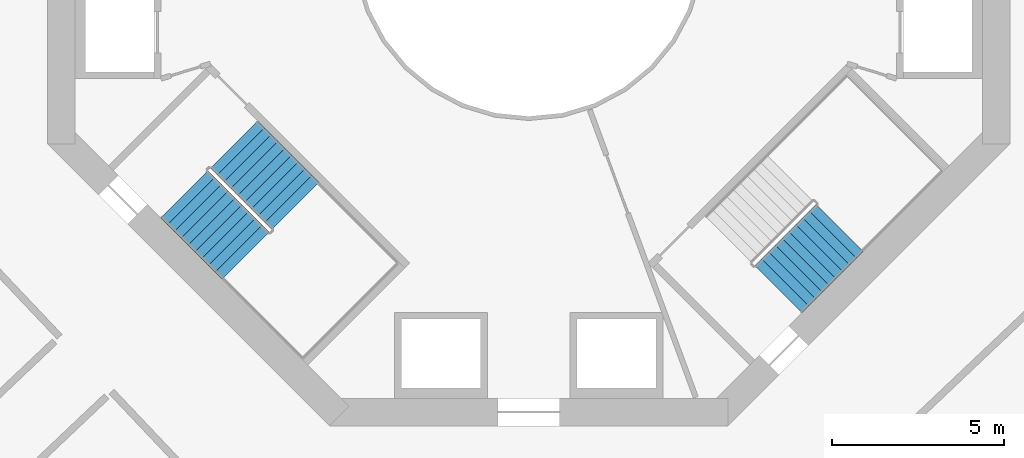
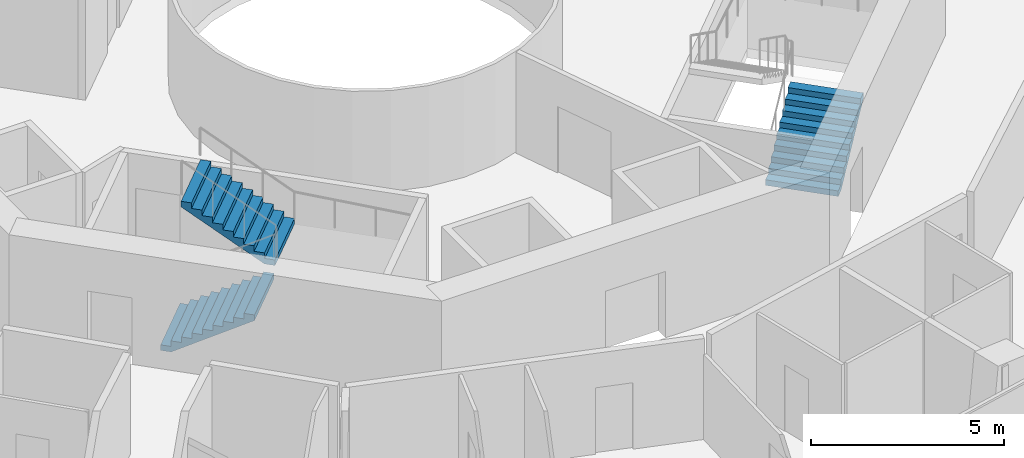
# One storey, part 25 of 27: 3 stair flights, 2 elements without a shape of their own.
"""IFC4 building model written with IfcOpenShell, lengths in metres."""

from ifc_helpers import new_model, si_unit, direction, frame, origin, place, context, subcontext, project, spatial, triangles, material, type_object, element, aggregate, save


model = new_model("IFC4")

# Units and contexts
model_context = context("Model", 3, precision=1e-05, world=origin(), true_north=direction((0.0, 1.0)))
body_context = subcontext(model_context, "Body", "Model", "MODEL_VIEW")
ifc_project = project(units=[si_unit("LENGTHUNIT", "METRE"), si_unit("AREAUNIT", "SQUARE_METRE"), si_unit("VOLUMEUNIT", "CUBIC_METRE"), si_unit("PLANEANGLEUNIT", "RADIAN"), si_unit("MASSUNIT", "GRAM", prefix="KILO")], contexts=[model_context])

# Site, building, storey
site_placement = place(None, origin())
site = spatial("IfcSite", under=ifc_project, at=site_placement, CompositionType="ELEMENT")
building_placement = place(site_placement, origin())
building = spatial("IfcBuilding", under=site, at=building_placement, Name="Verdalira Terraces Hotel", CompositionType="ELEMENT")
storey_placement = place(building_placement, frame((0.0, 0.0, 89.5)))
storey = spatial("IfcBuildingStorey", under=building, at=storey_placement, Name="L20", CompositionType="ELEMENT", Elevation=89.5)

# Stair, stair flights
ifc_material_1 = material(Name="Concrete C40", Category="concrete")
stair_type = type_object("IfcStairType", Name="Core stair 20 risers 1950 mm wide", PredefinedType="HALF_TURN_STAIR", material=ifc_material_1)
stair_1_placement = place(storey_placement, origin())
stair_1 = element("IfcStair", 1, at=stair_1_placement, inside=storey, type_object=stair_type, Name="L20 Exit stair ST2", PredefinedType="HALF_TURN_STAIR")
ifc_material_2 = material(Name="Concrete C40", Category="concrete")
stair_flight_type = type_object("IfcStairFlightType", Name="Core stair flight 20 risers 1950 mm wide", PredefinedType="STRAIGHT", material=ifc_material_2)
stair_flight_1_placement = place(storey_placement, frame((-10.023193, -7.265625, 0.0), z_axis=(0.0, 0.0, 1.0), x_axis=(0.707106781, -0.707106781, 0.0)))
stair_flight_1 = element("IfcStairFlight", 2, at=stair_flight_1_placement, type_object=stair_flight_type, Name="ST2 flight 1", NumberOfRisers=10, NumberOfTreads=9, PredefinedType="STRAIGHT", RiserHeight=0.175, TreadLength=0.28, context=body_context, shape_type="Tessellation", body=[
    triangles([(0.0, 0.974976, 0.0), (0.282715, 0.974976, 0.0), (2.52002, 0.974976, 1.398193), (0.0, -0.974976, 0.0), (0.282715, -0.974976, 0.0), (2.52002, -0.974976, 1.398193), (2.52002, 0.974976, 1.574951), (2.23999, 0.974976, 1.574951), (2.52002, -0.974976, 1.574951), (2.23999, -0.974976, 1.574951), (2.23999, 0.974976, 1.399902), (2.23999, -0.974976, 1.399902), (1.959961, 0.974976, 1.399902), (1.959961, -0.974976, 1.399902), (1.959961, 0.974976, 1.225098), (1.959961, -0.974976, 1.225098), (1.679932, 0.974976, 1.225098), (1.679932, 0.974976, 1.050049), (1.679932, -0.974976, 1.225098), (1.679932, -0.974976, 1.050049), (1.399902, 0.974976, 1.050049), (1.399902, 0.974976, 0.875), (1.399902, -0.974976, 1.050049), (1.399902, -0.974976, 0.875), (1.120117, 0.974976, 0.875), (1.120117, 0.974976, 0.699951), (1.120117, -0.974976, 0.875), (1.120117, -0.974976, 0.699951), (0.840088, 0.974976, 0.699951), (0.840088, 0.974976, 0.524902), (0.840088, -0.974976, 0.699951), (0.840088, -0.974976, 0.524902), (0.560059, 0.974976, 0.524902), (0.560059, 0.974976, 0.350098), (0.560059, -0.974976, 0.524902), (0.560059, -0.974976, 0.350098), (0.280029, 0.974976, 0.350098), (0.280029, 0.974976, 0.175049), (0.280029, -0.974976, 0.350098), (0.280029, -0.974976, 0.175049), (0.0, 0.974976, 0.175049), (0.0, -0.974976, 0.175049), (0.0, -0.91404, 0.0), (0.0, -0.91404, 0.175049), (0.0, -0.853104, 0.0), (0.0, -0.853104, 0.175049), (0.0, -0.792168, 0.0), (0.0, -0.792168, 0.175049), (0.0, -0.731232, 0.0), (0.0, -0.731232, 0.175049), (0.0, -0.670296, 0.0), (0.0, -0.670296, 0.175049), (0.0, -0.60936, 0.0), (0.0, -0.60936, 0.175049), (0.0, -0.548424, 0.0), (0.0, -0.548424, 0.175049), (0.0, -0.487488, 0.0), (0.0, -0.487488, 0.175049), (0.0, -0.426552, 0.0), (0.0, -0.426552, 0.175049), (0.0, -0.365616, 0.0), (0.0, -0.365616, 0.175049), (0.0, -0.30468, 0.0), (0.0, -0.30468, 0.175049), (0.0, -0.243744, 0.0), (0.0, -0.243744, 0.175049), (0.0, -0.182808, 0.0), (0.0, -0.182808, 0.175049), (0.0, -0.121872, 0.0), (0.0, -0.121872, 0.175049), (0.0, -0.060936, 0.0), (0.0, -0.060936, 0.175049), (0.0, 0.0, 0.0), (0.0, 0.0, 0.175049), (0.0, 0.060936, 0.0), (0.0, 0.060936, 0.175049), (0.0, 0.121872, 0.0), (0.0, 0.121872, 0.175049), (0.0, 0.182808, 0.0), (0.0, 0.182808, 0.175049), (0.0, 0.243744, 0.0), (0.0, 0.243744, 0.175049), (0.0, 0.30468, 0.0), (0.0, 0.30468, 0.175049), (0.0, 0.365616, 0.0), (0.0, 0.365616, 0.175049), (0.0, 0.426552, 0.0), (0.0, 0.426552, 0.175049), (0.0, 0.487488, 0.0), (0.0, 0.487488, 0.175049), (0.0, 0.548424, 0.0), (0.0, 0.548424, 0.175049), (0.0, 0.60936, 0.0), (0.0, 0.60936, 0.175049), (0.0, 0.670296, 0.0), (0.0, 0.670296, 0.175049), (0.0, 0.731232, 0.0), (0.0, 0.731232, 0.175049), (0.0, 0.792168, 0.0), (0.0, 0.792168, 0.175049), (0.0, 0.853104, 0.0), (0.0, 0.853104, 0.175049), (0.0, 0.91404, 0.0), (0.0, 0.91404, 0.175049), (2.52002, -0.91404, 1.574951), (2.52002, -0.853104, 1.574951), (2.52002, -0.792168, 1.574951), (2.52002, -0.731232, 1.574951), (2.52002, -0.670296, 1.574951), (2.52002, -0.60936, 1.574951), (2.52002, -0.548424, 1.574951), (2.52002, -0.487488, 1.574951), (2.52002, -0.426552, 1.574951), (2.52002, -0.365616, 1.574951), (2.52002, -0.30468, 1.574951), (2.52002, -0.243744, 1.574951), (2.52002, -0.182808, 1.574951), (2.52002, -0.121872, 1.574951), (2.52002, -0.060936, 1.574951), (2.52002, 0.0, 1.574951), (2.52002, 0.060936, 1.574951), (2.52002, 0.121872, 1.574951), (2.52002, 0.182808, 1.574951), (2.52002, 0.243744, 1.574951), (2.52002, 0.30468, 1.574951), (2.52002, 0.365616, 1.574951), (2.52002, 0.426552, 1.574951), (2.52002, 0.487488, 1.574951), (2.52002, 0.548424, 1.574951), (2.52002, 0.60936, 1.574951), (2.52002, 0.670296, 1.574951), (2.52002, 0.731232, 1.574951), (2.52002, 0.792168, 1.574951), (2.52002, 0.853104, 1.574951), (2.52002, 0.91404, 1.574951), (2.52002, -0.91404, 1.398193), (2.52002, -0.853104, 1.398193), (2.52002, -0.792168, 1.398193), (2.52002, -0.731232, 1.398193), (2.52002, -0.670296, 1.398193), (2.52002, -0.60936, 1.398193), (2.52002, -0.548424, 1.398193), (2.52002, -0.487488, 1.398193), (2.52002, -0.426552, 1.398193), (2.52002, -0.365616, 1.398193), (2.52002, -0.30468, 1.398193), (2.52002, -0.243744, 1.398193), (2.52002, -0.182808, 1.398193), (2.52002, -0.121872, 1.398193), (2.52002, -0.060936, 1.398193), (2.52002, 0.0, 1.398193), (2.52002, 0.060936, 1.398193), (2.52002, 0.121872, 1.398193), (2.52002, 0.182808, 1.398193), (2.52002, 0.243744, 1.398193), (2.52002, 0.30468, 1.398193), (2.52002, 0.365616, 1.398193), (2.52002, 0.426552, 1.398193), (2.52002, 0.487488, 1.398193), (2.52002, 0.548424, 1.398193), (2.52002, 0.60936, 1.398193), (2.52002, 0.670296, 1.398193), (2.52002, 0.731232, 1.398193), (2.52002, 0.792168, 1.398193), (2.52002, 0.853104, 1.398193), (2.52002, 0.91404, 1.398193)], [[1, 3, 2], [4, 5, 6], [3, 8, 7], [6, 9, 10], [3, 11, 8], [6, 10, 12], [3, 13, 11], [6, 12, 14], [3, 15, 13], [6, 14, 16], [15, 18, 17], [16, 19, 20], [3, 18, 15], [6, 16, 20], [18, 22, 21], [20, 23, 24], [3, 22, 18], [6, 20, 24], [22, 26, 25], [24, 27, 28], [3, 26, 22], [6, 24, 28], [26, 30, 29], [28, 31, 32], [3, 30, 26], [6, 28, 32], [1, 30, 3], [4, 6, 32], [30, 34, 33], [32, 35, 36], [34, 38, 37], [36, 39, 40], [30, 38, 34], [32, 36, 40], [1, 38, 30], [4, 32, 40], [38, 1, 41], [40, 42, 4], [4, 44, 43], [4, 42, 44], [43, 46, 45], [43, 44, 46], [45, 48, 47], [45, 46, 48], [47, 50, 49], [47, 48, 50], [49, 52, 51], [49, 50, 52], [51, 54, 53], [51, 52, 54], [53, 56, 55], [53, 54, 56], [55, 58, 57], [55, 56, 58], [57, 60, 59], [57, 58, 60], [59, 62, 61], [59, 60, 62], [61, 64, 63], [61, 62, 64], [63, 66, 65], [63, 64, 66], [65, 68, 67], [65, 66, 68], [67, 70, 69], [67, 68, 70], [69, 72, 71], [69, 70, 72], [71, 74, 73], [71, 72, 74], [73, 76, 75], [73, 74, 76], [75, 78, 77], [75, 76, 78], [77, 80, 79], [77, 78, 80], [79, 82, 81], [79, 80, 82], [81, 84, 83], [81, 82, 84], [83, 86, 85], [83, 84, 86], [85, 88, 87], [85, 86, 88], [87, 90, 89], [87, 88, 90], [89, 92, 91], [89, 90, 92], [91, 94, 93], [91, 92, 94], [93, 96, 95], [93, 94, 96], [95, 98, 97], [95, 96, 98], [97, 100, 99], [97, 98, 100], [99, 102, 101], [99, 100, 102], [101, 104, 103], [101, 102, 104], [103, 41, 1], [103, 104, 41], [42, 40, 44], [44, 40, 46], [46, 40, 48], [48, 40, 50], [50, 40, 52], [52, 40, 54], [54, 40, 56], [56, 40, 58], [58, 40, 60], [60, 40, 62], [62, 40, 64], [64, 40, 66], [66, 40, 68], [68, 40, 70], [70, 40, 72], [72, 40, 74], [74, 40, 76], [76, 40, 78], [78, 40, 80], [80, 40, 82], [82, 40, 84], [84, 40, 86], [86, 40, 88], [88, 40, 90], [90, 40, 92], [92, 40, 94], [94, 40, 96], [96, 40, 98], [98, 40, 100], [100, 40, 102], [102, 40, 104], [104, 40, 41], [41, 40, 38], [40, 37, 38], [40, 39, 37], [39, 34, 37], [39, 36, 34], [36, 33, 34], [36, 35, 33], [35, 30, 33], [35, 32, 30], [32, 29, 30], [32, 31, 29], [31, 26, 29], [31, 28, 26], [28, 25, 26], [28, 27, 25], [27, 22, 25], [27, 24, 22], [24, 21, 22], [24, 23, 21], [23, 18, 21], [23, 20, 18], [20, 17, 18], [20, 19, 17], [19, 15, 17], [19, 16, 15], [16, 13, 15], [16, 14, 13], [14, 11, 13], [14, 12, 11], [12, 8, 11], [12, 10, 8], [9, 105, 10], [105, 106, 10], [106, 107, 10], [107, 108, 10], [108, 109, 10], [109, 110, 10], [110, 111, 10], [111, 112, 10], [112, 113, 10], [113, 114, 10], [114, 115, 10], [115, 116, 10], [116, 117, 10], [117, 118, 10], [118, 119, 10], [119, 120, 10], [120, 121, 10], [121, 122, 10], [122, 123, 10], [123, 124, 10], [124, 125, 10], [125, 126, 10], [126, 127, 10], [127, 128, 10], [128, 129, 10], [129, 130, 10], [130, 131, 10], [131, 132, 10], [132, 133, 10], [133, 134, 10], [134, 135, 10], [135, 7, 10], [7, 8, 10], [9, 136, 105], [9, 6, 136], [105, 137, 106], [105, 136, 137], [106, 138, 107], [106, 137, 138], [107, 139, 108], [107, 138, 139], [108, 140, 109], [108, 139, 140], [109, 141, 110], [109, 140, 141], [110, 142, 111], [110, 141, 142], [111, 143, 112], [111, 142, 143], [112, 144, 113], [112, 143, 144], [113, 145, 114], [113, 144, 145], [114, 146, 115], [114, 145, 146], [115, 147, 116], [115, 146, 147], [116, 148, 117], [116, 147, 148], [117, 149, 118], [117, 148, 149], [118, 150, 119], [118, 149, 150], [119, 151, 120], [119, 150, 151], [120, 152, 121], [120, 151, 152], [121, 153, 122], [121, 152, 153], [122, 154, 123], [122, 153, 154], [123, 155, 124], [123, 154, 155], [124, 156, 125], [124, 155, 156], [125, 157, 126], [125, 156, 157], [126, 158, 127], [126, 157, 158], [127, 159, 128], [127, 158, 159], [128, 160, 129], [128, 159, 160], [129, 161, 130], [129, 160, 161], [130, 162, 131], [130, 161, 162], [131, 163, 132], [131, 162, 163], [132, 164, 133], [132, 163, 164], [133, 165, 134], [133, 164, 165], [134, 166, 135], [134, 165, 166], [135, 3, 7], [135, 166, 3], [6, 5, 136], [136, 5, 137], [137, 5, 138], [138, 5, 139], [139, 5, 140], [140, 5, 141], [141, 5, 142], [142, 5, 143], [143, 5, 144], [144, 5, 145], [145, 5, 146], [146, 5, 147], [147, 5, 148], [148, 5, 149], [149, 5, 150], [150, 5, 151], [151, 5, 152], [152, 5, 153], [153, 5, 154], [154, 5, 155], [155, 5, 156], [156, 5, 157], [157, 5, 158], [158, 5, 159], [159, 5, 160], [160, 5, 161], [161, 5, 162], [162, 5, 163], [163, 5, 164], [164, 5, 165], [165, 5, 166], [166, 5, 3], [3, 5, 2], [4, 43, 5], [43, 45, 5], [45, 47, 5], [47, 49, 5], [49, 51, 5], [51, 53, 5], [53, 55, 5], [55, 57, 5], [57, 59, 5], [59, 61, 5], [61, 63, 5], [63, 65, 5], [65, 67, 5], [67, 69, 5], [69, 71, 5], [71, 73, 5], [73, 75, 5], [75, 77, 5], [77, 79, 5], [79, 81, 5], [81, 83, 5], [83, 85, 5], [85, 87, 5], [87, 89, 5], [89, 91, 5], [91, 93, 5], [93, 95, 5], [95, 97, 5], [97, 99, 5], [99, 101, 5], [101, 103, 5], [103, 1, 5], [1, 2, 5]], closed=True),
])
stair_flight_2_placement = place(storey_placement, frame((-6.791748, -7.5979, 1.75), z_axis=(0.0, 0.0, 1.0), x_axis=(-0.707106781, 0.707106781, 0.0)))
stair_flight_2 = element("IfcStairFlight", 3, at=stair_flight_2_placement, type_object=stair_flight_type, Name="ST2 flight 2", NumberOfRisers=10, NumberOfTreads=9, PredefinedType="STRAIGHT", RiserHeight=0.175, TreadLength=0.28, context=body_context, shape_type="Tessellation", body=[
    triangles([(0.0, 0.974976, 0.0), (0.282715, 0.974976, 0.0), (2.52002, 0.974976, 1.398193), (0.0, -0.974976, 0.0), (0.282715, -0.974976, 0.0), (2.52002, -0.974976, 1.398193), (2.52002, 0.974976, 1.574951), (2.23999, 0.974976, 1.574951), (2.52002, -0.974976, 1.574951), (2.23999, -0.974976, 1.574951), (2.23999, 0.974976, 1.399902), (2.23999, -0.974976, 1.399902), (1.959961, 0.974976, 1.399902), (1.959961, -0.974976, 1.399902), (1.959961, 0.974976, 1.225098), (1.959961, -0.974976, 1.225098), (1.679932, 0.974976, 1.225098), (1.679932, 0.974976, 1.050049), (1.679932, -0.974976, 1.225098), (1.679932, -0.974976, 1.050049), (1.399902, 0.974976, 1.050049), (1.399902, 0.974976, 0.875), (1.399902, -0.974976, 1.050049), (1.399902, -0.974976, 0.875), (1.120117, 0.974976, 0.875), (1.120117, 0.974976, 0.699951), (1.120117, -0.974976, 0.875), (1.120117, -0.974976, 0.699951), (0.840088, 0.974976, 0.699951), (0.840088, 0.974976, 0.524902), (0.840088, -0.974976, 0.699951), (0.840088, -0.974976, 0.524902), (0.560059, 0.974976, 0.524902), (0.560059, 0.974976, 0.350098), (0.560059, -0.974976, 0.524902), (0.560059, -0.974976, 0.350098), (0.280029, 0.974976, 0.350098), (0.280029, 0.974976, 0.175049), (0.280029, -0.974976, 0.350098), (0.280029, -0.974976, 0.175049), (0.0, 0.974976, 0.175049), (0.0, -0.974976, 0.175049), (0.0, -0.91404, 0.0), (0.0, -0.91404, 0.175049), (0.0, -0.853104, 0.0), (0.0, -0.853104, 0.175049), (0.0, -0.792168, 0.0), (0.0, -0.792168, 0.175049), (0.0, -0.731232, 0.0), (0.0, -0.731232, 0.175049), (0.0, -0.670296, 0.0), (0.0, -0.670296, 0.175049), (0.0, -0.60936, 0.0), (0.0, -0.60936, 0.175049), (0.0, -0.548424, 0.0), (0.0, -0.548424, 0.175049), (0.0, -0.487488, 0.0), (0.0, -0.487488, 0.175049), (0.0, -0.426552, 0.0), (0.0, -0.426552, 0.175049), (0.0, -0.365616, 0.0), (0.0, -0.365616, 0.175049), (0.0, -0.30468, 0.0), (0.0, -0.30468, 0.175049), (0.0, -0.243744, 0.0), (0.0, -0.243744, 0.175049), (0.0, -0.182808, 0.0), (0.0, -0.182808, 0.175049), (0.0, -0.121872, 0.0), (0.0, -0.121872, 0.175049), (0.0, -0.060936, 0.0), (0.0, -0.060936, 0.175049), (0.0, 0.0, 0.0), (0.0, 0.0, 0.175049), (0.0, 0.060936, 0.0), (0.0, 0.060936, 0.175049), (0.0, 0.121872, 0.0), (0.0, 0.121872, 0.175049), (0.0, 0.182808, 0.0), (0.0, 0.182808, 0.175049), (0.0, 0.243744, 0.0), (0.0, 0.243744, 0.175049), (0.0, 0.30468, 0.0), (0.0, 0.30468, 0.175049), (0.0, 0.365616, 0.0), (0.0, 0.365616, 0.175049), (0.0, 0.426552, 0.0), (0.0, 0.426552, 0.175049), (0.0, 0.487488, 0.0), (0.0, 0.487488, 0.175049), (0.0, 0.548424, 0.0), (0.0, 0.548424, 0.175049), (0.0, 0.60936, 0.0), (0.0, 0.60936, 0.175049), (0.0, 0.670296, 0.0), (0.0, 0.670296, 0.175049), (0.0, 0.731232, 0.0), (0.0, 0.731232, 0.175049), (0.0, 0.792168, 0.0), (0.0, 0.792168, 0.175049), (0.0, 0.853104, 0.0), (0.0, 0.853104, 0.175049), (0.0, 0.91404, 0.0), (0.0, 0.91404, 0.175049), (2.52002, -0.91404, 1.574951), (2.52002, -0.853104, 1.574951), (2.52002, -0.792168, 1.574951), (2.52002, -0.731232, 1.574951), (2.52002, -0.670296, 1.574951), (2.52002, -0.60936, 1.574951), (2.52002, -0.548424, 1.574951), (2.52002, -0.487488, 1.574951), (2.52002, -0.426552, 1.574951), (2.52002, -0.365616, 1.574951), (2.52002, -0.30468, 1.574951), (2.52002, -0.243744, 1.574951), (2.52002, -0.182808, 1.574951), (2.52002, -0.121872, 1.574951), (2.52002, -0.060936, 1.574951), (2.52002, 0.0, 1.574951), (2.52002, 0.060936, 1.574951), (2.52002, 0.121872, 1.574951), (2.52002, 0.182808, 1.574951), (2.52002, 0.243744, 1.574951), (2.52002, 0.30468, 1.574951), (2.52002, 0.365616, 1.574951), (2.52002, 0.426552, 1.574951), (2.52002, 0.487488, 1.574951), (2.52002, 0.548424, 1.574951), (2.52002, 0.60936, 1.574951), (2.52002, 0.670296, 1.574951), (2.52002, 0.731232, 1.574951), (2.52002, 0.792168, 1.574951), (2.52002, 0.853104, 1.574951), (2.52002, 0.91404, 1.574951), (2.52002, -0.91404, 1.398193), (2.52002, -0.853104, 1.398193), (2.52002, -0.792168, 1.398193), (2.52002, -0.731232, 1.398193), (2.52002, -0.670296, 1.398193), (2.52002, -0.60936, 1.398193), (2.52002, -0.548424, 1.398193), (2.52002, -0.487488, 1.398193), (2.52002, -0.426552, 1.398193), (2.52002, -0.365616, 1.398193), (2.52002, -0.30468, 1.398193), (2.52002, -0.243744, 1.398193), (2.52002, -0.182808, 1.398193), (2.52002, -0.121872, 1.398193), (2.52002, -0.060936, 1.398193), (2.52002, 0.0, 1.398193), (2.52002, 0.060936, 1.398193), (2.52002, 0.121872, 1.398193), (2.52002, 0.182808, 1.398193), (2.52002, 0.243744, 1.398193), (2.52002, 0.30468, 1.398193), (2.52002, 0.365616, 1.398193), (2.52002, 0.426552, 1.398193), (2.52002, 0.487488, 1.398193), (2.52002, 0.548424, 1.398193), (2.52002, 0.60936, 1.398193), (2.52002, 0.670296, 1.398193), (2.52002, 0.731232, 1.398193), (2.52002, 0.792168, 1.398193), (2.52002, 0.853104, 1.398193), (2.52002, 0.91404, 1.398193)], [[1, 3, 2], [4, 5, 6], [3, 8, 7], [6, 9, 10], [3, 11, 8], [6, 10, 12], [3, 13, 11], [6, 12, 14], [3, 15, 13], [6, 14, 16], [15, 18, 17], [16, 19, 20], [3, 18, 15], [6, 16, 20], [18, 22, 21], [20, 23, 24], [3, 22, 18], [6, 20, 24], [22, 26, 25], [24, 27, 28], [3, 26, 22], [6, 24, 28], [26, 30, 29], [28, 31, 32], [3, 30, 26], [6, 28, 32], [1, 30, 3], [4, 6, 32], [30, 34, 33], [32, 35, 36], [34, 38, 37], [36, 39, 40], [30, 38, 34], [32, 36, 40], [1, 38, 30], [4, 32, 40], [38, 1, 41], [40, 42, 4], [4, 44, 43], [4, 42, 44], [43, 46, 45], [43, 44, 46], [45, 48, 47], [45, 46, 48], [47, 50, 49], [47, 48, 50], [49, 52, 51], [49, 50, 52], [51, 54, 53], [51, 52, 54], [53, 56, 55], [53, 54, 56], [55, 58, 57], [55, 56, 58], [57, 60, 59], [57, 58, 60], [59, 62, 61], [59, 60, 62], [61, 64, 63], [61, 62, 64], [63, 66, 65], [63, 64, 66], [65, 68, 67], [65, 66, 68], [67, 70, 69], [67, 68, 70], [69, 72, 71], [69, 70, 72], [71, 74, 73], [71, 72, 74], [73, 76, 75], [73, 74, 76], [75, 78, 77], [75, 76, 78], [77, 80, 79], [77, 78, 80], [79, 82, 81], [79, 80, 82], [81, 84, 83], [81, 82, 84], [83, 86, 85], [83, 84, 86], [85, 88, 87], [85, 86, 88], [87, 90, 89], [87, 88, 90], [89, 92, 91], [89, 90, 92], [91, 94, 93], [91, 92, 94], [93, 96, 95], [93, 94, 96], [95, 98, 97], [95, 96, 98], [97, 100, 99], [97, 98, 100], [99, 102, 101], [99, 100, 102], [101, 104, 103], [101, 102, 104], [103, 41, 1], [103, 104, 41], [42, 40, 44], [44, 40, 46], [46, 40, 48], [48, 40, 50], [50, 40, 52], [52, 40, 54], [54, 40, 56], [56, 40, 58], [58, 40, 60], [60, 40, 62], [62, 40, 64], [64, 40, 66], [66, 40, 68], [68, 40, 70], [70, 40, 72], [72, 40, 74], [74, 40, 76], [76, 40, 78], [78, 40, 80], [80, 40, 82], [82, 40, 84], [84, 40, 86], [86, 40, 88], [88, 40, 90], [90, 40, 92], [92, 40, 94], [94, 40, 96], [96, 40, 98], [98, 40, 100], [100, 40, 102], [102, 40, 104], [104, 40, 41], [41, 40, 38], [40, 37, 38], [40, 39, 37], [39, 34, 37], [39, 36, 34], [36, 33, 34], [36, 35, 33], [35, 30, 33], [35, 32, 30], [32, 29, 30], [32, 31, 29], [31, 26, 29], [31, 28, 26], [28, 25, 26], [28, 27, 25], [27, 22, 25], [27, 24, 22], [24, 21, 22], [24, 23, 21], [23, 18, 21], [23, 20, 18], [20, 17, 18], [20, 19, 17], [19, 15, 17], [19, 16, 15], [16, 13, 15], [16, 14, 13], [14, 11, 13], [14, 12, 11], [12, 8, 11], [12, 10, 8], [9, 105, 10], [105, 106, 10], [106, 107, 10], [107, 108, 10], [108, 109, 10], [109, 110, 10], [110, 111, 10], [111, 112, 10], [112, 113, 10], [113, 114, 10], [114, 115, 10], [115, 116, 10], [116, 117, 10], [117, 118, 10], [118, 119, 10], [119, 120, 10], [120, 121, 10], [121, 122, 10], [122, 123, 10], [123, 124, 10], [124, 125, 10], [125, 126, 10], [126, 127, 10], [127, 128, 10], [128, 129, 10], [129, 130, 10], [130, 131, 10], [131, 132, 10], [132, 133, 10], [133, 134, 10], [134, 135, 10], [135, 7, 10], [7, 8, 10], [9, 136, 105], [9, 6, 136], [105, 137, 106], [105, 136, 137], [106, 138, 107], [106, 137, 138], [107, 139, 108], [107, 138, 139], [108, 140, 109], [108, 139, 140], [109, 141, 110], [109, 140, 141], [110, 142, 111], [110, 141, 142], [111, 143, 112], [111, 142, 143], [112, 144, 113], [112, 143, 144], [113, 145, 114], [113, 144, 145], [114, 146, 115], [114, 145, 146], [115, 147, 116], [115, 146, 147], [116, 148, 117], [116, 147, 148], [117, 149, 118], [117, 148, 149], [118, 150, 119], [118, 149, 150], [119, 151, 120], [119, 150, 151], [120, 152, 121], [120, 151, 152], [121, 153, 122], [121, 152, 153], [122, 154, 123], [122, 153, 154], [123, 155, 124], [123, 154, 155], [124, 156, 125], [124, 155, 156], [125, 157, 126], [125, 156, 157], [126, 158, 127], [126, 157, 158], [127, 159, 128], [127, 158, 159], [128, 160, 129], [128, 159, 160], [129, 161, 130], [129, 160, 161], [130, 162, 131], [130, 161, 162], [131, 163, 132], [131, 162, 163], [132, 164, 133], [132, 163, 164], [133, 165, 134], [133, 164, 165], [134, 166, 135], [134, 165, 166], [135, 3, 7], [135, 166, 3], [6, 5, 136], [136, 5, 137], [137, 5, 138], [138, 5, 139], [139, 5, 140], [140, 5, 141], [141, 5, 142], [142, 5, 143], [143, 5, 144], [144, 5, 145], [145, 5, 146], [146, 5, 147], [147, 5, 148], [148, 5, 149], [149, 5, 150], [150, 5, 151], [151, 5, 152], [152, 5, 153], [153, 5, 154], [154, 5, 155], [155, 5, 156], [156, 5, 157], [157, 5, 158], [158, 5, 159], [159, 5, 160], [160, 5, 161], [161, 5, 162], [162, 5, 163], [163, 5, 164], [164, 5, 165], [165, 5, 166], [166, 5, 3], [3, 5, 2], [4, 43, 5], [43, 45, 5], [45, 47, 5], [47, 49, 5], [49, 51, 5], [51, 53, 5], [53, 55, 5], [55, 57, 5], [57, 59, 5], [59, 61, 5], [61, 63, 5], [63, 65, 5], [65, 67, 5], [67, 69, 5], [69, 71, 5], [71, 73, 5], [73, 75, 5], [75, 77, 5], [77, 79, 5], [79, 81, 5], [81, 83, 5], [83, 85, 5], [85, 87, 5], [87, 89, 5], [89, 91, 5], [91, 93, 5], [93, 95, 5], [95, 97, 5], [97, 99, 5], [99, 101, 5], [101, 103, 5], [103, 1, 5], [1, 2, 5]], closed=True),
])
aggregate(stair_1, [stair_flight_1, stair_flight_2])

# Stair, stair flight
stair_2_placement = place(storey_placement, origin())
stair_2 = element("IfcStair", 4, at=stair_2_placement, inside=storey, type_object=stair_type, Name="L20 Exit stair ST3", PredefinedType="HALF_TURN_STAIR")
stair_flight_3_placement = place(storey_placement, frame((7.265625, -10.023193, 0.0), z_axis=(0.0, 0.0, 1.0), x_axis=(0.707106781, 0.707106781, 0.0)))
stair_flight_3 = element("IfcStairFlight", 5, at=stair_flight_3_placement, type_object=stair_flight_type, Name="ST3 flight 1", NumberOfRisers=10, NumberOfTreads=9, PredefinedType="STRAIGHT", RiserHeight=0.175, TreadLength=0.28, context=body_context, shape_type="Tessellation", body=[
    triangles([(0.0, 0.974976, 0.0), (0.282715, 0.974976, 0.0), (2.52002, 0.974976, 1.398193), (0.0, -0.974976, 0.0), (0.282715, -0.974976, 0.0), (2.52002, -0.974976, 1.398193), (2.52002, 0.974976, 1.574951), (2.23999, 0.974976, 1.574951), (2.52002, -0.974976, 1.574951), (2.23999, -0.974976, 1.574951), (2.23999, 0.974976, 1.399902), (2.23999, -0.974976, 1.399902), (1.959961, 0.974976, 1.399902), (1.959961, -0.974976, 1.399902), (1.959961, 0.974976, 1.225098), (1.959961, -0.974976, 1.225098), (1.679932, 0.974976, 1.225098), (1.679932, 0.974976, 1.050049), (1.679932, -0.974976, 1.225098), (1.679932, -0.974976, 1.050049), (1.399902, 0.974976, 1.050049), (1.399902, 0.974976, 0.875), (1.399902, -0.974976, 1.050049), (1.399902, -0.974976, 0.875), (1.120117, 0.974976, 0.875), (1.120117, 0.974976, 0.699951), (1.120117, -0.974976, 0.875), (1.120117, -0.974976, 0.699951), (0.840088, 0.974976, 0.699951), (0.840088, 0.974976, 0.524902), (0.840088, -0.974976, 0.699951), (0.840088, -0.974976, 0.524902), (0.560059, 0.974976, 0.524902), (0.560059, 0.974976, 0.350098), (0.560059, -0.974976, 0.524902), (0.560059, -0.974976, 0.350098), (0.280029, 0.974976, 0.350098), (0.280029, 0.974976, 0.175049), (0.280029, -0.974976, 0.350098), (0.280029, -0.974976, 0.175049), (0.0, 0.974976, 0.175049), (0.0, -0.974976, 0.175049), (0.0, -0.91404, 0.0), (0.0, -0.91404, 0.175049), (0.0, -0.853104, 0.0), (0.0, -0.853104, 0.175049), (0.0, -0.792168, 0.0), (0.0, -0.792168, 0.175049), (0.0, -0.731232, 0.0), (0.0, -0.731232, 0.175049), (0.0, -0.670296, 0.0), (0.0, -0.670296, 0.175049), (0.0, -0.60936, 0.0), (0.0, -0.60936, 0.175049), (0.0, -0.548424, 0.0), (0.0, -0.548424, 0.175049), (0.0, -0.487488, 0.0), (0.0, -0.487488, 0.175049), (0.0, -0.426552, 0.0), (0.0, -0.426552, 0.175049), (0.0, -0.365616, 0.0), (0.0, -0.365616, 0.175049), (0.0, -0.30468, 0.0), (0.0, -0.30468, 0.175049), (0.0, -0.243744, 0.0), (0.0, -0.243744, 0.175049), (0.0, -0.182808, 0.0), (0.0, -0.182808, 0.175049), (0.0, -0.121872, 0.0), (0.0, -0.121872, 0.175049), (0.0, -0.060936, 0.0), (0.0, -0.060936, 0.175049), (0.0, 0.0, 0.0), (0.0, 0.0, 0.175049), (0.0, 0.060936, 0.0), (0.0, 0.060936, 0.175049), (0.0, 0.121872, 0.0), (0.0, 0.121872, 0.175049), (0.0, 0.182808, 0.0), (0.0, 0.182808, 0.175049), (0.0, 0.243744, 0.0), (0.0, 0.243744, 0.175049), (0.0, 0.30468, 0.0), (0.0, 0.30468, 0.175049), (0.0, 0.365616, 0.0), (0.0, 0.365616, 0.175049), (0.0, 0.426552, 0.0), (0.0, 0.426552, 0.175049), (0.0, 0.487488, 0.0), (0.0, 0.487488, 0.175049), (0.0, 0.548424, 0.0), (0.0, 0.548424, 0.175049), (0.0, 0.60936, 0.0), (0.0, 0.60936, 0.175049), (0.0, 0.670296, 0.0), (0.0, 0.670296, 0.175049), (0.0, 0.731232, 0.0), (0.0, 0.731232, 0.175049), (0.0, 0.792168, 0.0), (0.0, 0.792168, 0.175049), (0.0, 0.853104, 0.0), (0.0, 0.853104, 0.175049), (0.0, 0.91404, 0.0), (0.0, 0.91404, 0.175049), (2.52002, -0.91404, 1.574951), (2.52002, -0.853104, 1.574951), (2.52002, -0.792168, 1.574951), (2.52002, -0.731232, 1.574951), (2.52002, -0.670296, 1.574951), (2.52002, -0.60936, 1.574951), (2.52002, -0.548424, 1.574951), (2.52002, -0.487488, 1.574951), (2.52002, -0.426552, 1.574951), (2.52002, -0.365616, 1.574951), (2.52002, -0.30468, 1.574951), (2.52002, -0.243744, 1.574951), (2.52002, -0.182808, 1.574951), (2.52002, -0.121872, 1.574951), (2.52002, -0.060936, 1.574951), (2.52002, 0.0, 1.574951), (2.52002, 0.060936, 1.574951), (2.52002, 0.121872, 1.574951), (2.52002, 0.182808, 1.574951), (2.52002, 0.243744, 1.574951), (2.52002, 0.30468, 1.574951), (2.52002, 0.365616, 1.574951), (2.52002, 0.426552, 1.574951), (2.52002, 0.487488, 1.574951), (2.52002, 0.548424, 1.574951), (2.52002, 0.60936, 1.574951), (2.52002, 0.670296, 1.574951), (2.52002, 0.731232, 1.574951), (2.52002, 0.792168, 1.574951), (2.52002, 0.853104, 1.574951), (2.52002, 0.91404, 1.574951), (2.52002, -0.91404, 1.398193), (2.52002, -0.853104, 1.398193), (2.52002, -0.792168, 1.398193), (2.52002, -0.731232, 1.398193), (2.52002, -0.670296, 1.398193), (2.52002, -0.60936, 1.398193), (2.52002, -0.548424, 1.398193), (2.52002, -0.487488, 1.398193), (2.52002, -0.426552, 1.398193), (2.52002, -0.365616, 1.398193), (2.52002, -0.30468, 1.398193), (2.52002, -0.243744, 1.398193), (2.52002, -0.182808, 1.398193), (2.52002, -0.121872, 1.398193), (2.52002, -0.060936, 1.398193), (2.52002, 0.0, 1.398193), (2.52002, 0.060936, 1.398193), (2.52002, 0.121872, 1.398193), (2.52002, 0.182808, 1.398193), (2.52002, 0.243744, 1.398193), (2.52002, 0.30468, 1.398193), (2.52002, 0.365616, 1.398193), (2.52002, 0.426552, 1.398193), (2.52002, 0.487488, 1.398193), (2.52002, 0.548424, 1.398193), (2.52002, 0.60936, 1.398193), (2.52002, 0.670296, 1.398193), (2.52002, 0.731232, 1.398193), (2.52002, 0.792168, 1.398193), (2.52002, 0.853104, 1.398193), (2.52002, 0.91404, 1.398193)], [[1, 3, 2], [4, 5, 6], [3, 8, 7], [6, 9, 10], [3, 11, 8], [6, 10, 12], [3, 13, 11], [6, 12, 14], [3, 15, 13], [6, 14, 16], [15, 18, 17], [16, 19, 20], [3, 18, 15], [6, 16, 20], [18, 22, 21], [20, 23, 24], [3, 22, 18], [6, 20, 24], [22, 26, 25], [24, 27, 28], [3, 26, 22], [6, 24, 28], [26, 30, 29], [28, 31, 32], [3, 30, 26], [6, 28, 32], [1, 30, 3], [4, 6, 32], [30, 34, 33], [32, 35, 36], [34, 38, 37], [36, 39, 40], [30, 38, 34], [32, 36, 40], [1, 38, 30], [4, 32, 40], [38, 1, 41], [40, 42, 4], [4, 44, 43], [4, 42, 44], [43, 46, 45], [43, 44, 46], [45, 48, 47], [45, 46, 48], [47, 50, 49], [47, 48, 50], [49, 52, 51], [49, 50, 52], [51, 54, 53], [51, 52, 54], [53, 56, 55], [53, 54, 56], [55, 58, 57], [55, 56, 58], [57, 60, 59], [57, 58, 60], [59, 62, 61], [59, 60, 62], [61, 64, 63], [61, 62, 64], [63, 66, 65], [63, 64, 66], [65, 68, 67], [65, 66, 68], [67, 70, 69], [67, 68, 70], [69, 72, 71], [69, 70, 72], [71, 74, 73], [71, 72, 74], [73, 76, 75], [73, 74, 76], [75, 78, 77], [75, 76, 78], [77, 80, 79], [77, 78, 80], [79, 82, 81], [79, 80, 82], [81, 84, 83], [81, 82, 84], [83, 86, 85], [83, 84, 86], [85, 88, 87], [85, 86, 88], [87, 90, 89], [87, 88, 90], [89, 92, 91], [89, 90, 92], [91, 94, 93], [91, 92, 94], [93, 96, 95], [93, 94, 96], [95, 98, 97], [95, 96, 98], [97, 100, 99], [97, 98, 100], [99, 102, 101], [99, 100, 102], [101, 104, 103], [101, 102, 104], [103, 41, 1], [103, 104, 41], [42, 40, 44], [44, 40, 46], [46, 40, 48], [48, 40, 50], [50, 40, 52], [52, 40, 54], [54, 40, 56], [56, 40, 58], [58, 40, 60], [60, 40, 62], [62, 40, 64], [64, 40, 66], [66, 40, 68], [68, 40, 70], [70, 40, 72], [72, 40, 74], [74, 40, 76], [76, 40, 78], [78, 40, 80], [80, 40, 82], [82, 40, 84], [84, 40, 86], [86, 40, 88], [88, 40, 90], [90, 40, 92], [92, 40, 94], [94, 40, 96], [96, 40, 98], [98, 40, 100], [100, 40, 102], [102, 40, 104], [104, 40, 41], [41, 40, 38], [40, 37, 38], [40, 39, 37], [39, 34, 37], [39, 36, 34], [36, 33, 34], [36, 35, 33], [35, 30, 33], [35, 32, 30], [32, 29, 30], [32, 31, 29], [31, 26, 29], [31, 28, 26], [28, 25, 26], [28, 27, 25], [27, 22, 25], [27, 24, 22], [24, 21, 22], [24, 23, 21], [23, 18, 21], [23, 20, 18], [20, 17, 18], [20, 19, 17], [19, 15, 17], [19, 16, 15], [16, 13, 15], [16, 14, 13], [14, 11, 13], [14, 12, 11], [12, 8, 11], [12, 10, 8], [9, 105, 10], [105, 106, 10], [106, 107, 10], [107, 108, 10], [108, 109, 10], [109, 110, 10], [110, 111, 10], [111, 112, 10], [112, 113, 10], [113, 114, 10], [114, 115, 10], [115, 116, 10], [116, 117, 10], [117, 118, 10], [118, 119, 10], [119, 120, 10], [120, 121, 10], [121, 122, 10], [122, 123, 10], [123, 124, 10], [124, 125, 10], [125, 126, 10], [126, 127, 10], [127, 128, 10], [128, 129, 10], [129, 130, 10], [130, 131, 10], [131, 132, 10], [132, 133, 10], [133, 134, 10], [134, 135, 10], [135, 7, 10], [7, 8, 10], [9, 136, 105], [9, 6, 136], [105, 137, 106], [105, 136, 137], [106, 138, 107], [106, 137, 138], [107, 139, 108], [107, 138, 139], [108, 140, 109], [108, 139, 140], [109, 141, 110], [109, 140, 141], [110, 142, 111], [110, 141, 142], [111, 143, 112], [111, 142, 143], [112, 144, 113], [112, 143, 144], [113, 145, 114], [113, 144, 145], [114, 146, 115], [114, 145, 146], [115, 147, 116], [115, 146, 147], [116, 148, 117], [116, 147, 148], [117, 149, 118], [117, 148, 149], [118, 150, 119], [118, 149, 150], [119, 151, 120], [119, 150, 151], [120, 152, 121], [120, 151, 152], [121, 153, 122], [121, 152, 153], [122, 154, 123], [122, 153, 154], [123, 155, 124], [123, 154, 155], [124, 156, 125], [124, 155, 156], [125, 157, 126], [125, 156, 157], [126, 158, 127], [126, 157, 158], [127, 159, 128], [127, 158, 159], [128, 160, 129], [128, 159, 160], [129, 161, 130], [129, 160, 161], [130, 162, 131], [130, 161, 162], [131, 163, 132], [131, 162, 163], [132, 164, 133], [132, 163, 164], [133, 165, 134], [133, 164, 165], [134, 166, 135], [134, 165, 166], [135, 3, 7], [135, 166, 3], [6, 5, 136], [136, 5, 137], [137, 5, 138], [138, 5, 139], [139, 5, 140], [140, 5, 141], [141, 5, 142], [142, 5, 143], [143, 5, 144], [144, 5, 145], [145, 5, 146], [146, 5, 147], [147, 5, 148], [148, 5, 149], [149, 5, 150], [150, 5, 151], [151, 5, 152], [152, 5, 153], [153, 5, 154], [154, 5, 155], [155, 5, 156], [156, 5, 157], [157, 5, 158], [158, 5, 159], [159, 5, 160], [160, 5, 161], [161, 5, 162], [162, 5, 163], [163, 5, 164], [164, 5, 165], [165, 5, 166], [166, 5, 3], [3, 5, 2], [4, 43, 5], [43, 45, 5], [45, 47, 5], [47, 49, 5], [49, 51, 5], [51, 53, 5], [53, 55, 5], [55, 57, 5], [57, 59, 5], [59, 61, 5], [61, 63, 5], [63, 65, 5], [65, 67, 5], [67, 69, 5], [69, 71, 5], [71, 73, 5], [73, 75, 5], [75, 77, 5], [77, 79, 5], [79, 81, 5], [81, 83, 5], [83, 85, 5], [85, 87, 5], [87, 89, 5], [89, 91, 5], [91, 93, 5], [93, 95, 5], [95, 97, 5], [97, 99, 5], [99, 101, 5], [101, 103, 5], [103, 1, 5], [1, 2, 5]], closed=True),
])
aggregate(stair_2, [stair_flight_3])

save(model, "model.ifc")
